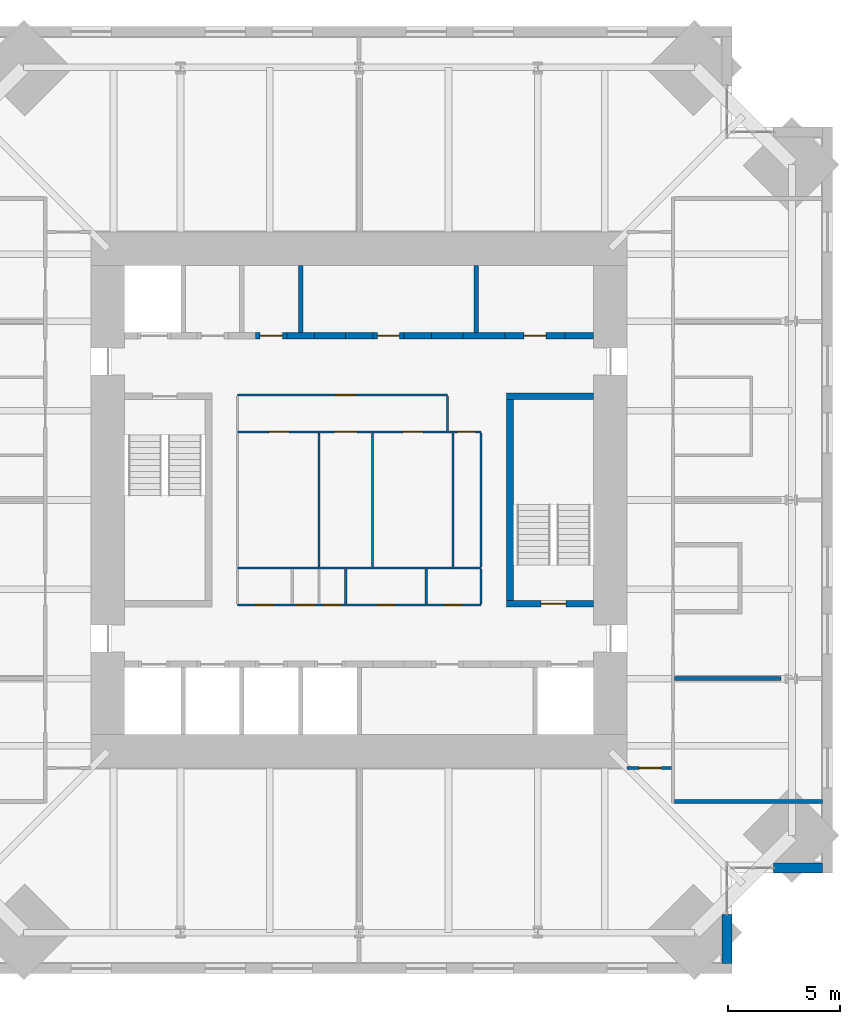
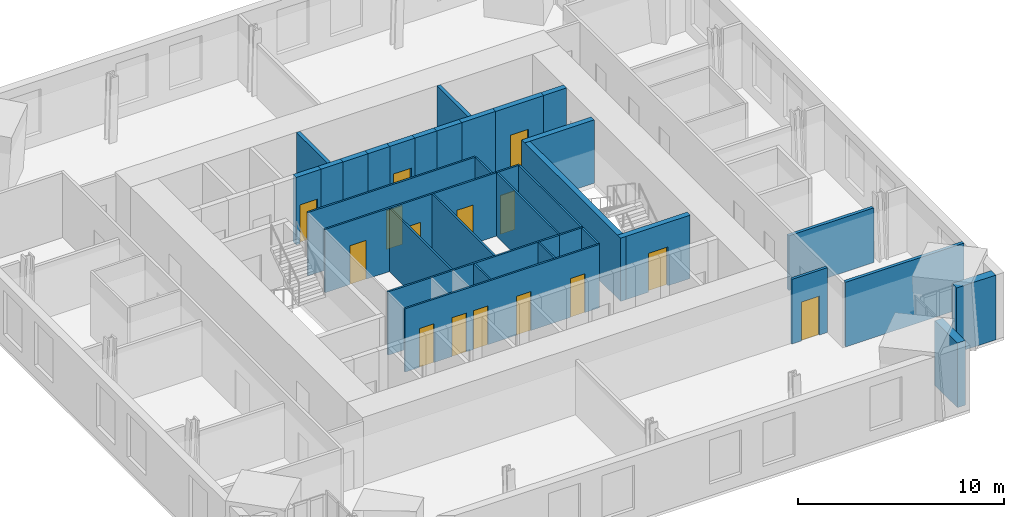
# One storey, part 12 of 15: 34 walls, 15 doors, 15 openings.
"""IFC4 building model written with IfcOpenShell, lengths in metres."""

from ifc_helpers import new_model, si_unit, direction, frame, frame_2d, origin, place, context, subcontext, project, spatial, rectangle, extrude, material, layer, layer_set, type_object, element, fill, save


model = new_model("IFC4")

# Units and contexts
model_context = context("Model", 3, precision=1e-05, world=origin(), true_north=direction((0.0, 1.0)))
body_context = subcontext(model_context, "Body", "Model", "MODEL_VIEW")
ifc_project = project(units=[si_unit("LENGTHUNIT", "METRE"), si_unit("AREAUNIT", "SQUARE_METRE"), si_unit("VOLUMEUNIT", "CUBIC_METRE"), si_unit("PLANEANGLEUNIT", "RADIAN"), si_unit("MASSUNIT", "GRAM", prefix="KILO")], contexts=[model_context])

# Site, building, storey
site_placement = place(None, origin())
site = spatial("IfcSite", under=ifc_project, at=site_placement, CompositionType="ELEMENT")
building_placement = place(site_placement, origin())
building = spatial("IfcBuilding", under=site, at=building_placement, Name="Peilmerk Tower", CompositionType="ELEMENT")
storey_placement = place(building_placement, frame((0.0, 0.0, 285.800048828125)))
storey = spatial("IfcBuildingStorey", under=building, at=storey_placement, Name="L64", CompositionType="ELEMENT", Elevation=285.800048828125)

# Walls
ifc_material_1 = material(Name="Precast concrete C45/55, board-marked finish", Category="concrete")
ifc_layer_1 = layer(ifc_material_1, 0.449951171875)
ifc_layer_set_1 = layer_set([ifc_layer_1], Name="Precast concrete C45/55, board-marked finish")
wall_type_1 = type_object("IfcWallType", Name="EW1 450 precast concrete facade wall, board-marked", PredefinedType="SOLIDWALL", material=ifc_layer_set_1)
for number, where, z_axis, x_axis, name in (
    (1, (16.47509765625, -18.5537109375, 0.0), (0.0, 0.0, 1.0), (0.0, -1.0, 0.0), "Facade wall SEA L64"),
    (2, (18.5537109375, -16.47509765625, 0.0), (0.0, 0.0, 1.0), (1.0, 0.0, 0.0), "Facade wall SEB L64"),
):
    element("IfcWall", number, at=place(storey_placement, frame(where, z_axis=z_axis, x_axis=x_axis)), inside=storey, type_object=wall_type_1, Name=name, PredefinedType="SOLIDWALL", context=body_context, shape_type="SweptSolid", body=[
        extrude(rectangle(XDim=2.1962890625, YDim=0.449951171875, at=frame_2d((1.09814453125, 0.0))), origin(), (0.0, 0.0, 1.0), 3.829833984375),
    ])

# Wall, opening, door
ifc_material_2 = material(Name="Calcium silicate block", Category="masonry")
ifc_layer_2 = layer(ifc_material_2, 0.14990234375)
ifc_layer_set_2 = layer_set([ifc_layer_2], Name="Calcium silicate block")
wall_type_2 = type_object("IfcWallType", Name="IW1 150 corridor partition, EI 60", PredefinedType="PARTITIONING", material=ifc_layer_set_2)
wall_1_placement = place(storey_placement, frame((13.97509765625, -12.0, 0.0), z_axis=(0.0, 0.0, 1.0), x_axis=(-1.0, 0.0, 0.0)))
wall_1 = element("IfcWall", 3, at=wall_1_placement, inside=storey, type_object=wall_type_2, Name="Corridor wall SE L64", PredefinedType="PARTITIONING", context=body_context, shape_type="SweptSolid", body=[
    extrude(rectangle(XDim=1.97509765625, YDim=0.14990234375, at=frame_2d((0.987548828125, 0.0))), origin(), (0.0, 0.0, 1.0), 3.829833984375),
])
opening_1_placement = place(wall_1_placement, frame((0.449951171875, 0.0, 0.0)))
opening_1 = element("IfcOpeningElement", 4, at=opening_1_placement, cuts=wall_1, Name="Opening D1", PredefinedType="OPENING", context=body_context, shape_type="SweptSolid", body=[
    extrude(rectangle(XDim=1.0, YDim=2.300048828125, at=frame_2d((0.5, 1.14990234375))), frame((0.0, 0.0849609375, 0.0), z_axis=(0.0, -1.0, 0.0), x_axis=(1.0, 0.0, 0.0)), (0.0, 0.0, 1.0), 0.169921875),
])
ifc_material_3 = material(Name="Timber door in steel frame", Category="steel")
door_type_1 = type_object("IfcDoorType", Name="D1 1000x2300 room door, EI2 30", OperationType="SINGLE_SWING_LEFT", PredefinedType="DOOR", material=ifc_material_3)
door_1_placement = place(opening_1_placement, origin())
door_1 = element("IfcDoor", 5, at=door_1_placement, inside=storey, type_object=door_type_1, Name="Door Office L64", OperationType="SINGLE_SWING_LEFT", OverallHeight=2.300048828125, OverallWidth=1.0, PredefinedType="DOOR", context=body_context, shape_type="SweptSolid", body=[
    extrude(rectangle(XDim=1.0, YDim=2.300048828125, at=frame_2d((0.5, 1.14990234375))), frame((0.0, 0.02490234375, 0.0), z_axis=(0.0, -1.0, 0.0), x_axis=(1.0, 0.0, 0.0)), (0.0, 0.0, 1.0), 0.050048828125),
])
fill(opening_1, door_1)

# Walls
ifc_material_4 = material(Name="Concrete C35/45", Category="concrete")
ifc_layer_3 = layer(ifc_material_4, 0.300048828125)
ifc_layer_set_3 = layer_set([ifc_layer_3], Name="Concrete C35/45")
wall_type_3 = type_object("IfcWallType", Name="IW3 300 concrete stair enclosure wall, EI 120", PredefinedType="SOLIDWALL", material=ifc_layer_set_3)
wall_2_placement = place(storey_placement, frame((6.75, -4.800048828125, 0.0), z_axis=(0.0, 0.0, 1.0), x_axis=(0.0, 1.0, 0.0)))
element("IfcWall", 6, at=wall_2_placement, inside=storey, type_object=wall_type_3, Name="Stair 2 enclosure L64", PredefinedType="SOLIDWALL", context=body_context, shape_type="SweptSolid", body=[
    extrude(rectangle(XDim=9.60009765625, YDim=0.300048828125, at=frame_2d((4.800048828125, 0.0))), origin(), (0.0, 0.0, 1.0), 3.75),
])
wall_3_placement = place(storey_placement, frame((6.60009765625, 4.64990234375, 0.0), z_axis=(0.0, 0.0, 1.0), x_axis=(1.0, 0.0, 0.0)))
element("IfcWall", 7, at=wall_3_placement, inside=storey, type_object=wall_type_3, Name="Stair 2 enclosure L64", PredefinedType="SOLIDWALL", context=body_context, shape_type="SweptSolid", body=[
    extrude(rectangle(XDim=3.89990234375, YDim=0.300048828125, at=frame_2d((1.949951171875, 0.0))), origin(), (0.0, 0.0, 1.0), 3.75),
])

# Wall, opening, door
wall_4_placement = place(storey_placement, frame((10.5, -4.64990234375, 0.0), z_axis=(0.0, 0.0, 1.0), x_axis=(-1.0, 0.0, 0.0)))
wall_4 = element("IfcWall", 8, at=wall_4_placement, inside=storey, type_object=wall_type_3, Name="Stair 2 enclosure L64", PredefinedType="SOLIDWALL", context=body_context, shape_type="SweptSolid", body=[
    extrude(rectangle(XDim=3.89990234375, YDim=0.300048828125, at=frame_2d((1.949951171875, 0.0))), origin(), (0.0, 0.0, 1.0), 3.75),
])
opening_2_placement = place(wall_4_placement, frame((1.25, 0.0, 0.0)))
opening_2 = element("IfcOpeningElement", 9, at=opening_2_placement, cuts=wall_4, Name="Opening D4", PredefinedType="OPENING", context=body_context, shape_type="SweptSolid", body=[
    extrude(rectangle(XDim=1.10009765625, YDim=2.300048828125, at=frame_2d((0.550048828125, 1.14990234375))), frame((0.0, 0.159912109375, 0.0), z_axis=(0.0, -1.0, 0.0), x_axis=(1.0, 0.0, 0.0)), (0.0, 0.0, 1.0), 0.320068359375),
])
ifc_material_5 = material(Name="Steel door in steel frame", Category="steel")
door_type_2 = type_object("IfcDoorType", Name="D4 1100x2300 stair door, EI2 60", OperationType="SINGLE_SWING_RIGHT", PredefinedType="DOOR", material=ifc_material_5)
door_2_placement = place(opening_2_placement, frame((1.10009765625, 0.0, 0.0), z_axis=(0.0, 0.0, 1.0), x_axis=(-1.0, 0.0, 0.0)))
door_2 = element("IfcDoor", 10, at=door_2_placement, inside=storey, type_object=door_type_2, Name="Stair 2 door L64", OperationType="SINGLE_SWING_RIGHT", OverallHeight=2.300048828125, OverallWidth=1.10009765625, PredefinedType="DOOR", context=body_context, shape_type="SweptSolid", body=[
    extrude(rectangle(XDim=1.10009765625, YDim=2.300048828125, at=frame_2d((0.550048828125, 1.14990234375))), frame((0.0, 0.02490234375, 0.0), z_axis=(0.0, -1.0, 0.0), x_axis=(1.0, 0.0, 0.0)), (0.0, 0.0, 1.0), 0.050048828125),
])
fill(opening_2, door_2)

# Wall, openings, doors
ifc_material_6 = material(Name="Plasterboard on steel studs", Category="steel")
ifc_layer_4 = layer(ifc_material_6, 0.10009765625)
ifc_layer_set_4 = layer_set([ifc_layer_4], Name="Plasterboard on steel studs")
wall_type_4 = type_object("IfcWallType", Name="IW4 100 WC partition", PredefinedType="PARTITIONING", material=ifc_layer_set_4)
wall_5_placement = place(storey_placement, frame((-5.449951171875, 3.050048828125, 0.0), z_axis=(0.0, 0.0, 1.0), x_axis=(1.0, 0.0, 0.0)))
wall_5 = element("IfcWall", 11, at=wall_5_placement, inside=storey, type_object=wall_type_4, Name="WC wall L64", PredefinedType="PARTITIONING", context=body_context, shape_type="SweptSolid", body=[
    extrude(rectangle(XDim=9.599853515625, YDim=0.10009765625, at=frame_2d((4.7998046875, 0.0))), origin(), (0.0, 0.0, 1.0), 3.75),
])
opening_3_placement = place(wall_5_placement, frame((1.39990234375, 0.0, 0.0)))
opening_3 = element("IfcOpeningElement", 12, at=opening_3_placement, cuts=wall_5, Name="Opening D5", PredefinedType="OPENING", context=body_context, shape_type="SweptSolid", body=[
    extrude(rectangle(XDim=0.89990234375, YDim=2.300048828125, at=frame_2d((0.449951171875, 1.14990234375))), frame((0.0, 0.06005859375, 0.0), z_axis=(0.0, -1.0, 0.0), x_axis=(1.0, 0.0, 0.0)), (0.0, 0.0, 1.0), 0.1201171875),
])
opening_4_placement = place(wall_5_placement, frame((4.35009765625, 0.0, 0.0)))
opening_4 = element("IfcOpeningElement", 13, at=opening_4_placement, cuts=wall_5, Name="Opening D6", PredefinedType="OPENING", context=body_context, shape_type="SweptSolid", body=[
    extrude(rectangle(XDim=1.0, YDim=2.300048828125, at=frame_2d((0.5, 1.14990234375))), frame((0.0, 0.06005859375, 0.0), z_axis=(0.0, -1.0, 0.0), x_axis=(1.0, 0.0, 0.0)), (0.0, 0.0, 1.0), 0.1201171875),
])
opening_5_placement = place(wall_5_placement, frame((7.39990234375, 0.0, 0.0)))
opening_5 = element("IfcOpeningElement", 14, at=opening_5_placement, cuts=wall_5, Name="Opening D5", PredefinedType="OPENING", context=body_context, shape_type="SweptSolid", body=[
    extrude(rectangle(XDim=0.89990234375, YDim=2.300048828125, at=frame_2d((0.449951171875, 1.14990234375))), frame((0.0, 0.06005859375, 0.0), z_axis=(0.0, -1.0, 0.0), x_axis=(1.0, 0.0, 0.0)), (0.0, 0.0, 1.0), 0.1201171875),
])
door_type_3 = type_object("IfcDoorType", Name="D5 900x2300 WC door", OperationType="SINGLE_SWING_LEFT", PredefinedType="DOOR", material=ifc_material_3)
door_3_placement = place(opening_3_placement, frame((0.89990234375, 0.0, 0.0), z_axis=(0.0, 0.0, 1.0), x_axis=(-1.0, 0.0, 0.0)))
door_3 = element("IfcDoor", 15, at=door_3_placement, inside=storey, type_object=door_type_3, Name="Female toilets door L64", OperationType="SINGLE_SWING_LEFT", OverallHeight=2.300048828125, OverallWidth=0.89990234375, PredefinedType="DOOR", context=body_context, shape_type="SweptSolid", body=[
    extrude(rectangle(XDim=0.89990234375, YDim=2.300048828125, at=frame_2d((0.449951171875, 1.14990234375))), frame((0.0, 0.02490234375, 0.0), z_axis=(0.0, -1.0, 0.0), x_axis=(1.0, 0.0, 0.0)), (0.0, 0.0, 1.0), 0.050048828125),
])
fill(opening_3, door_3)
door_4_placement = place(opening_5_placement, frame((0.89990234375, 0.0, 0.0), z_axis=(0.0, 0.0, 1.0), x_axis=(-1.0, 0.0, 0.0)))
door_4 = element("IfcDoor", 16, at=door_4_placement, inside=storey, type_object=door_type_3, Name="Male toilets door L64", OperationType="SINGLE_SWING_LEFT", OverallHeight=2.300048828125, OverallWidth=0.89990234375, PredefinedType="DOOR", context=body_context, shape_type="SweptSolid", body=[
    extrude(rectangle(XDim=0.89990234375, YDim=2.300048828125, at=frame_2d((0.449951171875, 1.14990234375))), frame((0.0, 0.02490234375, 0.0), z_axis=(0.0, -1.0, 0.0), x_axis=(1.0, 0.0, 0.0)), (0.0, 0.0, 1.0), 0.050048828125),
])
fill(opening_5, door_4)
door_type_4 = type_object("IfcDoorType", Name="D6 1000x2300 accessible WC door", OperationType="SLIDING_TO_LEFT", PredefinedType="DOOR", material=ifc_material_3)
door_5_placement = place(opening_4_placement, frame((1.0, 0.0, 0.0), z_axis=(0.0, 0.0, 1.0), x_axis=(-1.0, 0.0, 0.0)))
door_5 = element("IfcDoor", 17, at=door_5_placement, inside=storey, type_object=door_type_4, Name="Accessible WC door L64", OperationType="SLIDING_TO_LEFT", OverallHeight=2.300048828125, OverallWidth=1.0, PredefinedType="DOOR", context=body_context, shape_type="SweptSolid", body=[
    extrude(rectangle(XDim=1.0, YDim=2.300048828125, at=frame_2d((0.5, 1.14990234375))), frame((0.0, 0.02490234375, 0.0), z_axis=(0.0, -1.0, 0.0), x_axis=(1.0, 0.0, 0.0)), (0.0, 0.0, 1.0), 0.050048828125),
])
fill(opening_4, door_5)

# Walls
wall_6_placement = place(storey_placement, frame((4.14990234375, -3.050048828125, 0.0), z_axis=(0.0, 0.0, 1.0), x_axis=(-1.0, 0.0, 0.0)))
element("IfcWall", 18, at=wall_6_placement, inside=storey, type_object=wall_type_4, Name="WC wall L64", PredefinedType="PARTITIONING", context=body_context, shape_type="SweptSolid", body=[
    extrude(rectangle(XDim=9.599853515625, YDim=0.10009765625, at=frame_2d((4.7998046875, 0.0))), origin(), (0.0, 0.0, 1.0), 3.75),
])
for number, where, z_axis, x_axis, name in (
    (19, (-1.800048828125, -3.0, 0.0), (0.0, 0.0, 1.0), (0.0, 1.0, 0.0), "WC wall L64"),
    (20, (0.60009765625, -3.0, 0.0), (0.0, 0.0, 1.0), (0.0, 1.0, 0.0), "WC wall L64"),
):
    element("IfcWall", number, at=place(storey_placement, frame(where, z_axis=z_axis, x_axis=x_axis)), inside=storey, type_object=wall_type_4, Name=name, PredefinedType="PARTITIONING", context=body_context, shape_type="SweptSolid", body=[
        extrude(rectangle(XDim=6.0, YDim=0.10009765625, at=frame_2d((3.0, 0.0))), origin(), (0.0, 0.0, 1.0), 3.75),
    ])

# Wall, opening, door
ifc_material_7 = material(Name="Calcium silicate board on steel studs", Category="steel")
ifc_layer_5 = layer(ifc_material_7, 0.10009765625)
ifc_layer_set_5 = layer_set([ifc_layer_5], Name="Calcium silicate board on steel studs")
wall_type_5 = type_object("IfcWallType", Name="IW5 100 riser enclosure wall, EI 60", PredefinedType="PARTITIONING", material=ifc_layer_set_5)
wall_7_placement = place(storey_placement, frame((4.14990234375, 3.050048828125, 0.0), z_axis=(0.0, 0.0, 1.0), x_axis=(1.0, 0.0, 0.0)))
wall_7 = element("IfcWall", 21, at=wall_7_placement, inside=storey, type_object=wall_type_5, Name="Riser wall L64", PredefinedType="PARTITIONING", context=body_context, shape_type="SweptSolid", body=[
    extrude(rectangle(XDim=1.300048828125, YDim=0.10009765625, at=frame_2d((0.64990234375, 0.0))), origin(), (0.0, 0.0, 1.0), 3.75),
])
opening_6_placement = place(wall_7_placement, frame((0.25, 0.0, 0.0)))
opening_6 = element("IfcOpeningElement", 22, at=opening_6_placement, cuts=wall_7, Name="Opening D7", PredefinedType="OPENING", context=body_context, shape_type="SweptSolid", body=[
    extrude(rectangle(XDim=0.800048828125, YDim=2.300048828125, at=frame_2d((0.39990234375, 1.14990234375))), frame((0.0, 0.06005859375, 0.0), z_axis=(0.0, -1.0, 0.0), x_axis=(1.0, 0.0, 0.0)), (0.0, 0.0, 1.0), 0.1201171875),
])
door_type_5 = type_object("IfcDoorType", Name="D7 800x2300 riser access door, EI2 60", OperationType="SINGLE_SWING_RIGHT", PredefinedType="DOOR", material=ifc_material_5)
door_6_placement = place(opening_6_placement, frame((0.800048828125, 0.0, 0.0), z_axis=(0.0, 0.0, 1.0), x_axis=(-1.0, 0.0, 0.0)))
door_6 = element("IfcDoor", 23, at=door_6_placement, inside=storey, type_object=door_type_5, Name="Plumbing riser door L64", OperationType="SINGLE_SWING_RIGHT", OverallHeight=2.300048828125, OverallWidth=0.800048828125, PredefinedType="DOOR", context=body_context, shape_type="SweptSolid", body=[
    extrude(rectangle(XDim=0.800048828125, YDim=2.300048828125, at=frame_2d((0.39990234375, 1.14990234375))), frame((0.0, 0.02490234375, 0.0), z_axis=(0.0, -1.0, 0.0), x_axis=(1.0, 0.0, 0.0)), (0.0, 0.0, 1.0), 0.050048828125),
])
fill(opening_6, door_6)

# Walls
wall_8_placement = place(storey_placement, frame((5.449951171875, -3.050048828125, 0.0), z_axis=(0.0, 0.0, 1.0), x_axis=(-1.0, 0.0, 0.0)))
element("IfcWall", 24, at=wall_8_placement, inside=storey, type_object=wall_type_5, Name="Riser wall L64", PredefinedType="PARTITIONING", context=body_context, shape_type="SweptSolid", body=[
    extrude(rectangle(XDim=1.300048828125, YDim=0.10009765625, at=frame_2d((0.64990234375, 0.0))), origin(), (0.0, 0.0, 1.0), 3.75),
])
for number, where, z_axis, x_axis, name in (
    (25, (5.449951171875, 3.0, 0.0), (0.0, 0.0, 1.0), (0.0, -1.0, 0.0), "Riser wall L64"),
    (26, (4.199951171875, -3.0, 0.0), (0.0, 0.0, 1.0), (0.0, 1.0, 0.0), "Riser wall L64"),
):
    element("IfcWall", number, at=place(storey_placement, frame(where, z_axis=z_axis, x_axis=x_axis)), inside=storey, type_object=wall_type_5, Name=name, PredefinedType="PARTITIONING", context=body_context, shape_type="SweptSolid", body=[
        extrude(rectangle(XDim=6.0, YDim=0.10009765625, at=frame_2d((3.0, 0.0))), origin(), (0.0, 0.0, 1.0), 3.75),
    ])

# Wall, openings, doors
wall_9_placement = place(storey_placement, frame((5.449951171875, -4.699951171875, 0.0), z_axis=(0.0, 0.0, 1.0), x_axis=(-1.0, 0.0, 0.0)))
wall_9 = element("IfcWall", 27, at=wall_9_placement, inside=storey, type_object=wall_type_5, Name="Riser wall L64", PredefinedType="PARTITIONING", context=body_context, shape_type="SweptSolid", body=[
    extrude(rectangle(XDim=10.89990234375, YDim=0.10009765625, at=frame_2d((5.449951171875, 0.0))), origin(), (0.0, 0.0, 1.0), 3.75),
])
opening_7_placement = place(wall_9_placement, frame((9.27490234375, 0.0, 0.0)))
opening_7 = element("IfcOpeningElement", 28, at=opening_7_placement, cuts=wall_9, Name="Opening D7", PredefinedType="OPENING", context=body_context, shape_type="SweptSolid", body=[
    extrude(rectangle(XDim=0.800048828125, YDim=2.300048828125, at=frame_2d((0.39990234375, 1.14990234375))), frame((0.0, 0.06005859375, 0.0), z_axis=(0.0, -1.0, 0.0), x_axis=(1.0, 0.0, 0.0)), (0.0, 0.0, 1.0), 0.1201171875),
])
opening_8_placement = place(wall_9_placement, frame((7.449951171875, 0.0, 0.0)))
opening_8 = element("IfcOpeningElement", 29, at=opening_8_placement, cuts=wall_9, Name="Opening D7", PredefinedType="OPENING", context=body_context, shape_type="SweptSolid", body=[
    extrude(rectangle(XDim=0.800048828125, YDim=2.300048828125, at=frame_2d((0.39990234375, 1.14990234375))), frame((0.0, 0.06005859375, 0.0), z_axis=(0.0, -1.0, 0.0), x_axis=(1.0, 0.0, 0.0)), (0.0, 0.0, 1.0), 0.1201171875),
])
opening_9_placement = place(wall_9_placement, frame((6.25, 0.0, 0.0)))
opening_9 = element("IfcOpeningElement", 30, at=opening_9_placement, cuts=wall_9, Name="Opening D7", PredefinedType="OPENING", context=body_context, shape_type="SweptSolid", body=[
    extrude(rectangle(XDim=0.800048828125, YDim=2.300048828125, at=frame_2d((0.39990234375, 1.14990234375))), frame((0.0, 0.06005859375, 0.0), z_axis=(0.0, -1.0, 0.0), x_axis=(1.0, 0.0, 0.0)), (0.0, 0.0, 1.0), 0.1201171875),
])
opening_10_placement = place(wall_9_placement, frame((3.85009765625, 0.0, 0.0)))
opening_10 = element("IfcOpeningElement", 31, at=opening_10_placement, cuts=wall_9, Name="Opening D7", PredefinedType="OPENING", context=body_context, shape_type="SweptSolid", body=[
    extrude(rectangle(XDim=0.800048828125, YDim=2.300048828125, at=frame_2d((0.39990234375, 1.14990234375))), frame((0.0, 0.06005859375, 0.0), z_axis=(0.0, -1.0, 0.0), x_axis=(1.0, 0.0, 0.0)), (0.0, 0.0, 1.0), 0.1201171875),
])
opening_11_placement = place(wall_9_placement, frame((0.824951171875, 0.0, 0.0)))
opening_11 = element("IfcOpeningElement", 32, at=opening_11_placement, cuts=wall_9, Name="Opening D7", PredefinedType="OPENING", context=body_context, shape_type="SweptSolid", body=[
    extrude(rectangle(XDim=0.800048828125, YDim=2.300048828125, at=frame_2d((0.39990234375, 1.14990234375))), frame((0.0, 0.06005859375, 0.0), z_axis=(0.0, -1.0, 0.0), x_axis=(1.0, 0.0, 0.0)), (0.0, 0.0, 1.0), 0.1201171875),
])
door_7_placement = place(opening_7_placement, frame((0.800048828125, 0.0, 0.0), z_axis=(0.0, 0.0, 1.0), x_axis=(-1.0, 0.0, 0.0)))
door_7 = element("IfcDoor", 33, at=door_7_placement, inside=storey, type_object=door_type_5, Name="Cleaner's cupboard door L64", OperationType="SINGLE_SWING_RIGHT", OverallHeight=2.300048828125, OverallWidth=0.800048828125, PredefinedType="DOOR", context=body_context, shape_type="SweptSolid", body=[
    extrude(rectangle(XDim=0.800048828125, YDim=2.300048828125, at=frame_2d((0.39990234375, 1.14990234375))), frame((0.0, 0.02490234375, 0.0), z_axis=(0.0, -1.0, 0.0), x_axis=(1.0, 0.0, 0.0)), (0.0, 0.0, 1.0), 0.050048828125),
])
fill(opening_7, door_7)
door_8_placement = place(opening_8_placement, frame((0.800048828125, 0.0, 0.0), z_axis=(0.0, 0.0, 1.0), x_axis=(-1.0, 0.0, 0.0)))
door_8 = element("IfcDoor", 34, at=door_8_placement, inside=storey, type_object=door_type_5, Name="Electrical riser door L64", OperationType="SINGLE_SWING_RIGHT", OverallHeight=2.300048828125, OverallWidth=0.800048828125, PredefinedType="DOOR", context=body_context, shape_type="SweptSolid", body=[
    extrude(rectangle(XDim=0.800048828125, YDim=2.300048828125, at=frame_2d((0.39990234375, 1.14990234375))), frame((0.0, 0.02490234375, 0.0), z_axis=(0.0, -1.0, 0.0), x_axis=(1.0, 0.0, 0.0)), (0.0, 0.0, 1.0), 0.050048828125),
])
fill(opening_8, door_8)
door_9_placement = place(opening_9_placement, frame((0.800048828125, 0.0, 0.0), z_axis=(0.0, 0.0, 1.0), x_axis=(-1.0, 0.0, 0.0)))
door_9 = element("IfcDoor", 35, at=door_9_placement, inside=storey, type_object=door_type_5, Name="Data riser door L64", OperationType="SINGLE_SWING_RIGHT", OverallHeight=2.300048828125, OverallWidth=0.800048828125, PredefinedType="DOOR", context=body_context, shape_type="SweptSolid", body=[
    extrude(rectangle(XDim=0.800048828125, YDim=2.300048828125, at=frame_2d((0.39990234375, 1.14990234375))), frame((0.0, 0.02490234375, 0.0), z_axis=(0.0, -1.0, 0.0), x_axis=(1.0, 0.0, 0.0)), (0.0, 0.0, 1.0), 0.050048828125),
])
fill(opening_9, door_9)
door_10_placement = place(opening_10_placement, frame((0.800048828125, 0.0, 0.0), z_axis=(0.0, 0.0, 1.0), x_axis=(-1.0, 0.0, 0.0)))
door_10 = element("IfcDoor", 36, at=door_10_placement, inside=storey, type_object=door_type_5, Name="Comms room door L64", OperationType="SINGLE_SWING_RIGHT", OverallHeight=2.300048828125, OverallWidth=0.800048828125, PredefinedType="DOOR", context=body_context, shape_type="SweptSolid", body=[
    extrude(rectangle(XDim=0.800048828125, YDim=2.300048828125, at=frame_2d((0.39990234375, 1.14990234375))), frame((0.0, 0.02490234375, 0.0), z_axis=(0.0, -1.0, 0.0), x_axis=(1.0, 0.0, 0.0)), (0.0, 0.0, 1.0), 0.050048828125),
])
fill(opening_10, door_10)
door_11_placement = place(opening_11_placement, frame((0.800048828125, 0.0, 0.0), z_axis=(0.0, 0.0, 1.0), x_axis=(-1.0, 0.0, 0.0)))
door_11 = element("IfcDoor", 37, at=door_11_placement, inside=storey, type_object=door_type_5, Name="Water meter room door L64", OperationType="SINGLE_SWING_RIGHT", OverallHeight=2.300048828125, OverallWidth=0.800048828125, PredefinedType="DOOR", context=body_context, shape_type="SweptSolid", body=[
    extrude(rectangle(XDim=0.800048828125, YDim=2.300048828125, at=frame_2d((0.39990234375, 1.14990234375))), frame((0.0, 0.02490234375, 0.0), z_axis=(0.0, -1.0, 0.0), x_axis=(1.0, 0.0, 0.0)), (0.0, 0.0, 1.0), 0.050048828125),
])
fill(opening_11, door_11)

# Walls
for number, where, z_axis, x_axis, name in (
    (38, (5.449951171875, -3.10009765625, 0.0), (0.0, 0.0, 1.0), (0.0, -1.0, 0.0), "Riser wall L64"),
    (39, (-0.60009765625, -3.10009765625, 0.0), (0.0, 0.0, 1.0), (0.0, -1.0, 0.0), "Riser wall L64"),
    (40, (3.0, -3.10009765625, 0.0), (0.0, 0.0, 1.0), (0.0, -1.0, 0.0), "Riser wall L64"),
):
    element("IfcWall", number, at=place(storey_placement, frame(where, z_axis=z_axis, x_axis=x_axis)), inside=storey, type_object=wall_type_5, Name=name, PredefinedType="PARTITIONING", context=body_context, shape_type="SweptSolid", body=[
        extrude(rectangle(XDim=1.5498046875, YDim=0.10009765625, at=frame_2d((0.77490234375, 0.0))), origin(), (0.0, 0.0, 1.0), 3.75),
    ])
ifc_layer_6 = layer(ifc_material_2, 0.175048828125)
ifc_layer_set_6 = layer_set([ifc_layer_6], Name="Calcium silicate block")
wall_type_6 = type_object("IfcWallType", Name="IW8 175 tenant separating wall, EI 60", PredefinedType="PARTITIONING", material=ifc_layer_set_6)
wall_10_placement = place(storey_placement, frame((20.75, -13.5, 0.0), z_axis=(0.0, 0.0, 1.0), x_axis=(-1.0, 0.0, 0.0)))
element("IfcWall", 41, at=wall_10_placement, inside=storey, type_object=wall_type_6, Name="Tenant separating wall SE L64", PredefinedType="PARTITIONING", context=body_context, shape_type="SweptSolid", body=[
    extrude(rectangle(XDim=6.625, YDim=0.175048828125, at=frame_2d((3.3125, 0.0))), origin(), (0.0, 0.0, 1.0), 3.829833984375),
])
wall_11_placement = place(storey_placement, frame((14.125, -8.0, 0.0), z_axis=(0.0, 0.0, 1.0), x_axis=(1.0, 0.0, 0.0)))
element("IfcWall", 42, at=wall_11_placement, inside=storey, type_object=wall_type_6, Name="Tenant separating wall E1 L64", PredefinedType="PARTITIONING", context=body_context, shape_type="SweptSolid", body=[
    extrude(rectangle(XDim=4.756591796875, YDim=0.175048828125, at=frame_2d((2.37841796875, 0.0))), origin(), (0.0, 0.0, 1.0), 3.239990234375),
])

# Wall, opening, door
ifc_material_8 = material(Name="Fire-resisting plasterboard on steel studs", Category="steel")
ifc_layer_7 = layer(ifc_material_8, 0.10009765625)
ifc_layer_set_7 = layer_set([ifc_layer_7], Name="Fire-resisting plasterboard on steel studs")
wall_type_7 = type_object("IfcWallType", Name="IW9 100 WC lobby wall, EI 30", PredefinedType="PARTITIONING", material=ifc_layer_set_7)
wall_12_placement = place(storey_placement, frame((-5.449951171875, 4.699951171875, 0.0), z_axis=(0.0, 0.0, 1.0), x_axis=(1.0, 0.0, 0.0)))
wall_12 = element("IfcWall", 43, at=wall_12_placement, inside=storey, type_object=wall_type_7, Name="WC lobby wall L64", PredefinedType="PARTITIONING", context=body_context, shape_type="SweptSolid", body=[
    extrude(rectangle(XDim=9.39990234375, YDim=0.10009765625, at=frame_2d((4.699951171875, 0.0))), origin(), (0.0, 0.0, 1.0), 3.75),
])
opening_12_placement = place(wall_12_placement, frame((4.39990234375, 0.0, 0.0)))
opening_12 = element("IfcOpeningElement", 44, at=opening_12_placement, cuts=wall_12, Name="Opening D11", PredefinedType="OPENING", context=body_context, shape_type="SweptSolid", body=[
    extrude(rectangle(XDim=0.89990234375, YDim=2.300048828125, at=frame_2d((0.449951171875, 1.14990234375))), frame((0.0, 0.06005859375, 0.0), z_axis=(0.0, -1.0, 0.0), x_axis=(1.0, 0.0, 0.0)), (0.0, 0.0, 1.0), 0.1201171875),
])
door_type_6 = type_object("IfcDoorType", Name="D11 900x2300 WC lobby door, EI2 30", OperationType="SINGLE_SWING_LEFT", PredefinedType="DOOR", material=ifc_material_3)
door_12_placement = place(opening_12_placement, frame((0.89990234375, 0.0, 0.0), z_axis=(0.0, 0.0, 1.0), x_axis=(-1.0, 0.0, 0.0)))
door_12 = element("IfcDoor", 45, at=door_12_placement, inside=storey, type_object=door_type_6, Name="WC lobby door L64", OperationType="SINGLE_SWING_LEFT", OverallHeight=2.300048828125, OverallWidth=0.89990234375, PredefinedType="DOOR", context=body_context, shape_type="SweptSolid", body=[
    extrude(rectangle(XDim=0.89990234375, YDim=2.300048828125, at=frame_2d((0.449951171875, 1.14990234375))), frame((0.0, 0.02490234375, 0.0), z_axis=(0.0, -1.0, 0.0), x_axis=(1.0, 0.0, 0.0)), (0.0, 0.0, 1.0), 0.050048828125),
])
fill(opening_12, door_12)

# Walls
wall_13_placement = place(storey_placement, frame((3.949951171875, 3.10009765625, 0.0), z_axis=(0.0, 0.0, 1.0), x_axis=(0.0, 1.0, 0.0)))
element("IfcWall", 46, at=wall_13_placement, inside=storey, type_object=wall_type_7, Name="WC lobby wall L64", PredefinedType="PARTITIONING", context=body_context, shape_type="SweptSolid", body=[
    extrude(rectangle(XDim=1.5498046875, YDim=0.10009765625, at=frame_2d((0.77490234375, 0.0))), origin(), (0.0, 0.0, 1.0), 3.75),
])
ifc_layer_8 = layer(ifc_material_2, 0.199951171875)
ifc_layer_set_8 = layer_set([ifc_layer_8], Name="Calcium silicate block")
wall_type_8 = type_object("IfcWallType", Name="SH1 200 shaft dividing wall, EI 120", PredefinedType="PARTITIONING", material=ifc_layer_set_8)
for number, where, z_axis, x_axis, name in (
    (47, (-2.625, 7.5, 0.0), (0.0, 0.0, 1.0), (0.0, 1.0, 0.0), "Shaft wall N A2 L64"),
    (48, (5.25, 7.5, 0.0), (0.0, 0.0, 1.0), (0.0, 1.0, 0.0), "Shaft wall N S2 L64"),
):
    element("IfcWall", number, at=place(storey_placement, frame(where, z_axis=z_axis, x_axis=x_axis)), inside=storey, type_object=wall_type_8, Name=name, PredefinedType="PARTITIONING", context=body_context, shape_type="SweptSolid", body=[
        extrude(rectangle(XDim=3.0, YDim=0.199951171875, at=frame_2d((1.5, 0.0))), origin(), (0.0, 0.0, 1.0), 4.0),
    ])

# Wall, opening, door
ifc_layer_9 = layer(ifc_material_2, 0.300048828125)
ifc_layer_set_9 = layer_set([ifc_layer_9], Name="Calcium silicate block")
wall_type_9 = type_object("IfcWallType", Name="SH2 300 lift landing door panel, EI 120", PredefinedType="PARTITIONING", material=ifc_layer_set_9)
wall_14_placement = place(storey_placement, frame((-4.637451171875, 7.35009765625, 0.0), z_axis=(0.0, 0.0, 1.0), x_axis=(1.0, 0.0, 0.0)))
wall_14 = element("IfcWall", 49, at=wall_14_placement, inside=storey, type_object=wall_type_9, Name="Lift door panel N A2 L64", PredefinedType="PARTITIONING", context=body_context, shape_type="SweptSolid", body=[
    extrude(rectangle(XDim=1.39990234375, YDim=0.300048828125, at=frame_2d((0.699951171875, 0.0))), origin(), (0.0, 0.0, 1.0), 4.0),
])
opening_13_placement = place(wall_14_placement, frame((0.199951171875, 0.0, 0.0)))
opening_13 = element("IfcOpeningElement", 50, at=opening_13_placement, cuts=wall_14, Name="Opening D10", PredefinedType="OPENING", context=body_context, shape_type="SweptSolid", body=[
    extrude(rectangle(XDim=1.0, YDim=2.300048828125, at=frame_2d((0.5, 1.14990234375))), frame((0.0, 0.159912109375, 0.0), z_axis=(0.0, -1.0, 0.0), x_axis=(1.0, 0.0, 0.0)), (0.0, 0.0, 1.0), 0.320068359375),
])
door_type_7 = type_object("IfcDoorType", Name="D10 1000x2300 core room door, EI2 60", OperationType="SINGLE_SWING_RIGHT", PredefinedType="DOOR", material=ifc_material_5)
door_13_placement = place(opening_13_placement, origin())
door_13 = element("IfcDoor", 51, at=door_13_placement, inside=storey, type_object=door_type_7, Name="Door Staff WC L64", OperationType="SINGLE_SWING_RIGHT", OverallHeight=2.300048828125, OverallWidth=1.0, PredefinedType="DOOR", context=body_context, shape_type="SweptSolid", body=[
    extrude(rectangle(XDim=1.0, YDim=2.300048828125, at=frame_2d((0.5, 1.14990234375))), frame((0.0, 0.02490234375, 0.0), z_axis=(0.0, -1.0, 0.0), x_axis=(1.0, 0.0, 0.0)), (0.0, 0.0, 1.0), 0.050048828125),
])
fill(opening_13, door_13)

# Wall
wall_15_placement = place(storey_placement, frame((-2.012451171875, 7.35009765625, 0.0), z_axis=(0.0, 0.0, 1.0), x_axis=(1.0, 0.0, 0.0)))
element("IfcWall", 52, at=wall_15_placement, inside=storey, type_object=wall_type_9, Name="Lift door panel N A3 L64", PredefinedType="PARTITIONING", context=body_context, shape_type="SweptSolid", body=[
    extrude(rectangle(XDim=1.39990234375, YDim=0.300048828125, at=frame_2d((0.699951171875, 0.0))), origin(), (0.0, 0.0, 1.0), 4.0),
])

# Wall, opening, door
wall_16_placement = place(storey_placement, frame((0.612548828125, 7.35009765625, 0.0), z_axis=(0.0, 0.0, 1.0), x_axis=(1.0, 0.0, 0.0)))
wall_16 = element("IfcWall", 53, at=wall_16_placement, inside=storey, type_object=wall_type_9, Name="Lift door panel N S1 L64", PredefinedType="PARTITIONING", context=body_context, shape_type="SweptSolid", body=[
    extrude(rectangle(XDim=1.39990234375, YDim=0.300048828125, at=frame_2d((0.699951171875, 0.0))), origin(), (0.0, 0.0, 1.0), 4.0),
])
opening_14_placement = place(wall_16_placement, frame((0.199951171875, 0.0, 0.0)))
opening_14 = element("IfcOpeningElement", 54, at=opening_14_placement, cuts=wall_16, Name="Opening D10", PredefinedType="OPENING", context=body_context, shape_type="SweptSolid", body=[
    extrude(rectangle(XDim=1.0, YDim=2.300048828125, at=frame_2d((0.5, 1.14990234375))), frame((0.0, 0.159912109375, 0.0), z_axis=(0.0, -1.0, 0.0), x_axis=(1.0, 0.0, 0.0)), (0.0, 0.0, 1.0), 0.320068359375),
])
door_14_placement = place(opening_14_placement, origin())
door_14 = element("IfcDoor", 55, at=door_14_placement, inside=storey, type_object=door_type_7, Name="Door Mail room L64", OperationType="SINGLE_SWING_RIGHT", OverallHeight=2.300048828125, OverallWidth=1.0, PredefinedType="DOOR", context=body_context, shape_type="SweptSolid", body=[
    extrude(rectangle(XDim=1.0, YDim=2.300048828125, at=frame_2d((0.5, 1.14990234375))), frame((0.0, 0.02490234375, 0.0), z_axis=(0.0, -1.0, 0.0), x_axis=(1.0, 0.0, 0.0)), (0.0, 0.0, 1.0), 0.050048828125),
])
fill(opening_14, door_14)

# Wall
wall_17_placement = place(storey_placement, frame((3.237548828125, 7.35009765625, 0.0), z_axis=(0.0, 0.0, 1.0), x_axis=(1.0, 0.0, 0.0)))
element("IfcWall", 56, at=wall_17_placement, inside=storey, type_object=wall_type_9, Name="Lift door panel N S2 L64", PredefinedType="PARTITIONING", context=body_context, shape_type="SweptSolid", body=[
    extrude(rectangle(XDim=1.39990234375, YDim=0.300048828125, at=frame_2d((0.699951171875, 0.0))), origin(), (0.0, 0.0, 1.0), 4.0),
])

# Wall, opening, door
wall_18_placement = place(storey_placement, frame((6.52490234375, 7.35009765625, 0.0), z_axis=(0.0, 0.0, 1.0), x_axis=(1.0, 0.0, 0.0)))
wall_18 = element("IfcWall", 57, at=wall_18_placement, inside=storey, type_object=wall_type_9, Name="Lift door panel N GL1 L64", PredefinedType="PARTITIONING", context=body_context, shape_type="SweptSolid", body=[
    extrude(rectangle(XDim=2.7001953125, YDim=0.300048828125, at=frame_2d((1.35009765625, 0.0))), origin(), (0.0, 0.0, 1.0), 4.0),
])
opening_15_placement = place(wall_18_placement, frame((0.85009765625, 0.0, 0.0)))
opening_15 = element("IfcOpeningElement", 58, at=opening_15_placement, cuts=wall_18, Name="Opening D10", PredefinedType="OPENING", context=body_context, shape_type="SweptSolid", body=[
    extrude(rectangle(XDim=1.0, YDim=2.300048828125, at=frame_2d((0.5, 1.14990234375))), frame((0.0, 0.159912109375, 0.0), z_axis=(0.0, -1.0, 0.0), x_axis=(1.0, 0.0, 0.0)), (0.0, 0.0, 1.0), 0.320068359375),
])
door_15_placement = place(opening_15_placement, origin())
door_15 = element("IfcDoor", 59, at=door_15_placement, inside=storey, type_object=door_type_7, Name="Door IT room L64", OperationType="SINGLE_SWING_RIGHT", OverallHeight=2.300048828125, OverallWidth=1.0, PredefinedType="DOOR", context=body_context, shape_type="SweptSolid", body=[
    extrude(rectangle(XDim=1.0, YDim=2.300048828125, at=frame_2d((0.5, 1.14990234375))), frame((0.0, 0.02490234375, 0.0), z_axis=(0.0, -1.0, 0.0), x_axis=(1.0, 0.0, 0.0)), (0.0, 0.0, 1.0), 0.050048828125),
])
fill(opening_15, door_15)

# Walls
ifc_material_9 = material(Name="Concrete C55/67", Category="concrete")
ifc_layer_10 = layer(ifc_material_9, 0.300048828125)
ifc_layer_set_10 = layer_set([ifc_layer_10], Name="Concrete C55/67")
wall_type_10 = type_object("IfcWallType", Name="SW2 300 lift bank pier", PredefinedType="SHEAR", material=ifc_layer_set_10)
for number, where, z_axis, x_axis, name in (
    (60, (-3.237548828125, 7.35009765625, 0.0), (0.0, 0.0, 1.0), (1.0, 0.0, 0.0), "Lift bank pier N L64"),
    (61, (-0.612548828125, 7.35009765625, 0.0), (0.0, 0.0, 1.0), (1.0, 0.0, 0.0), "Lift bank pier N L64"),
    (62, (2.012451171875, 7.35009765625, 0.0), (0.0, 0.0, 1.0), (1.0, 0.0, 0.0), "Lift bank pier N L64"),
):
    element("IfcWall", number, at=place(storey_placement, frame(where, z_axis=z_axis, x_axis=x_axis)), inside=storey, type_object=wall_type_10, Name=name, PredefinedType="SHEAR", context=body_context, shape_type="SweptSolid", body=[
        extrude(rectangle(XDim=1.22509765625, YDim=0.300048828125, at=frame_2d((0.612548828125, 0.0))), origin(), (0.0, 0.0, 1.0), 4.0),
    ])
wall_19_placement = place(storey_placement, frame((4.637451171875, 7.35009765625, 0.0), z_axis=(0.0, 0.0, 1.0), x_axis=(1.0, 0.0, 0.0)))
element("IfcWall", 63, at=wall_19_placement, inside=storey, type_object=wall_type_10, Name="Lift bank pier N L64", PredefinedType="SHEAR", context=body_context, shape_type="SweptSolid", body=[
    extrude(rectangle(XDim=1.887451171875, YDim=0.300048828125, at=frame_2d((0.94384765625, 0.0))), origin(), (0.0, 0.0, 1.0), 4.0),
])
wall_20_placement = place(storey_placement, frame((9.22509765625, 7.35009765625, 0.0), z_axis=(0.0, 0.0, 1.0), x_axis=(1.0, 0.0, 0.0)))
element("IfcWall", 64, at=wall_20_placement, inside=storey, type_object=wall_type_10, Name="Lift bank pier N L64", PredefinedType="SHEAR", context=body_context, shape_type="SweptSolid", body=[
    extrude(rectangle(XDim=1.27490234375, YDim=0.300048828125, at=frame_2d((0.637451171875, 0.0))), origin(), (0.0, 0.0, 1.0), 4.0),
])

save(model, "model.ifc")
